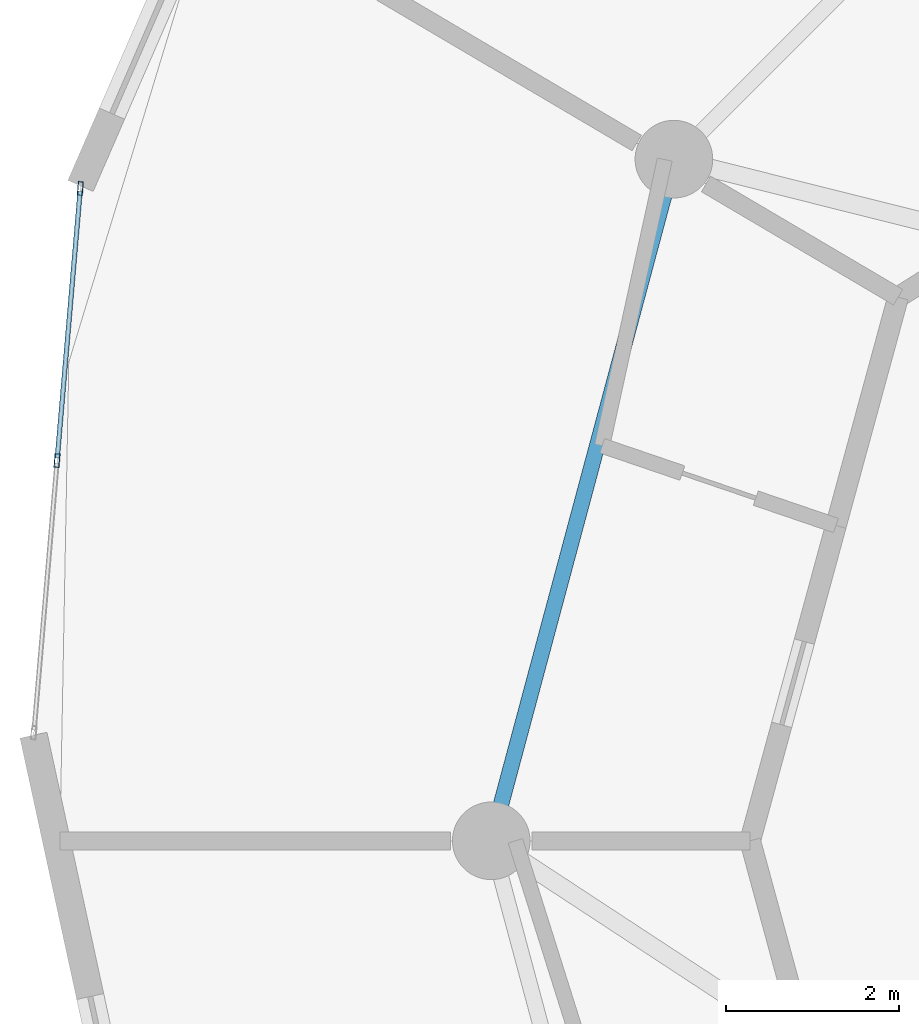
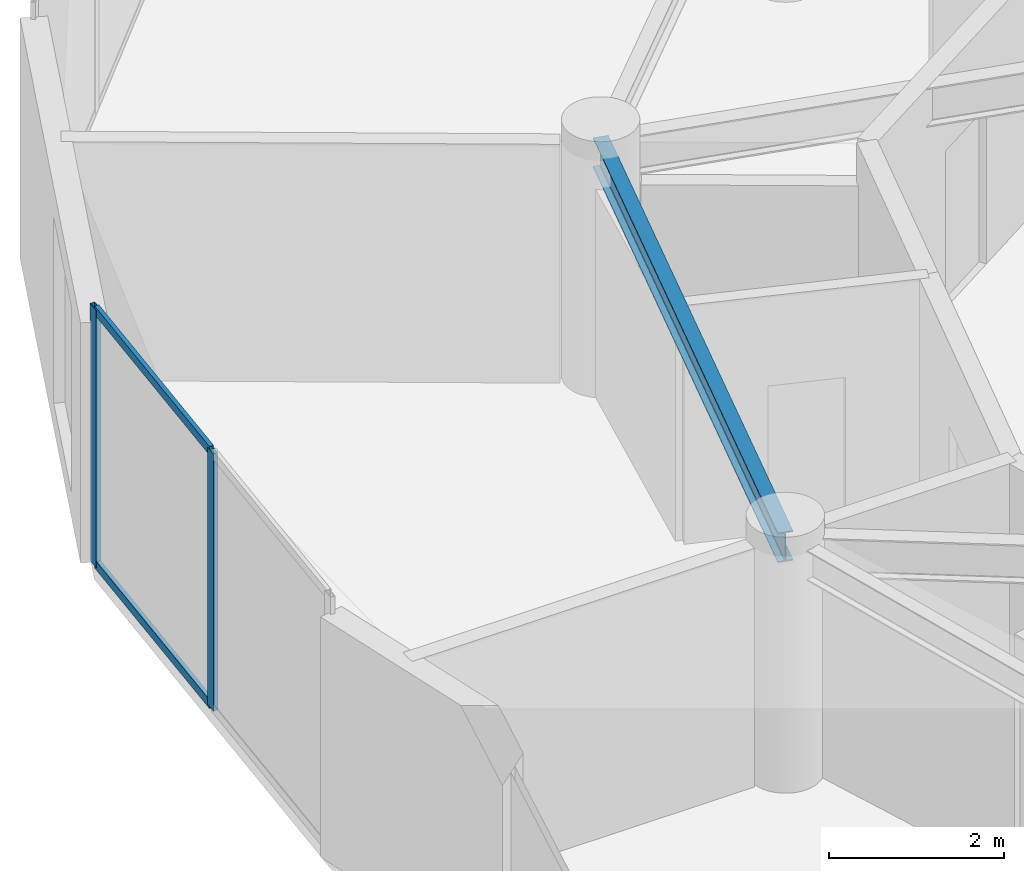
# One storey, part 9 of 23: 4 members, 1 beam, 1 element without a shape of its own.
"""IFC4 building model written with IfcOpenShell, lengths in metres."""

from ifc_helpers import new_model, si_unit, direction, frame, origin, origin_2d, place, context, subcontext, project, spatial, hollow_rectangle, i_section, extrude, source, transform, mapped, material, layer, layer_set, material_profile, profile_set, type_object, element, aggregate, save


model = new_model("IFC4")

# Units and contexts
model_context = context("Model", 3, precision=1e-05, world=origin(), true_north=direction((0.0, 1.0)))
body_context = subcontext(model_context, "Body", "Model", "MODEL_VIEW")
ifc_project = project(units=[si_unit("LENGTHUNIT", "METRE"), si_unit("AREAUNIT", "SQUARE_METRE"), si_unit("VOLUMEUNIT", "CUBIC_METRE"), si_unit("PLANEANGLEUNIT", "RADIAN"), si_unit("MASSUNIT", "GRAM", prefix="KILO")], contexts=[model_context])

# Site, building, storey
site_placement = place(None, origin())
site = spatial("IfcSite", under=ifc_project, at=site_placement, CompositionType="ELEMENT")
building_placement = place(site_placement, origin())
building = spatial("IfcBuilding", under=site, at=building_placement, Name="Solvirekh Grand Hotel", CompositionType="ELEMENT")
storey_placement = place(building_placement, frame((0.0, 0.0, 173.199951171875)))
storey = spatial("IfcBuildingStorey", under=building, at=storey_placement, Name="L44", CompositionType="ELEMENT", Elevation=173.199951171875)

# Beam
ifc_material_1 = material(Name="Steel S355", Category="steel")
ifc_material_profile_1 = material_profile(ifc_material_1, i_section(OverallWidth=0.180908203125, OverallDepth=0.4169921875, WebThickness=0.010009765625, FlangeThickness=0.01611328125, FilletRadius=0.011962890625, at=origin_2d()), Name="W410X85")
ifc_profile_set_1 = profile_set([ifc_material_profile_1], Name="Steel S355")
beam_type = type_object("IfcBeamType", Name="Spandrel_Ring_W410", PredefinedType="SPANDREL", material=ifc_profile_set_1)
beam_placement = place(storey_placement, frame((-13.68310546875, 7.89990234375, 3.152099609375), z_axis=(-0.258838541915, -0.965920601923, 0.0), x_axis=(0.965920601923, -0.258838541915, 0.0)))
element("IfcBeam", 1, at=beam_placement, inside=storey, type_object=beam_type, Name="L44 perimeter spandrel beam 6", PredefinedType="SPANDREL", context=body_context, shape_type="SweptSolid", body=[
    extrude(i_section(OverallWidth=0.180908203125, OverallDepth=0.4169921875, WebThickness=0.010009765625, FlangeThickness=0.01611328125, FilletRadius=0.011962890625, at=origin_2d()), origin(), (0.0, 0.0, 1.0), 8.1787109375),
])

# Curtain wall, members
ifc_material_2 = material(Name="Anodized Bronze Aluminium 6063-T6", Category="aluminium")
ifc_layer = layer(ifc_material_2, 0.159912109375)
ifc_layer_set = layer_set([ifc_layer], Name="Anodized Bronze Aluminium 6063-T6")
curtain_wall_type = type_object("IfcCurtainWallType", Name="CW_Sys4_HighZoneFlushBronzeCW", PredefinedType="NOTDEFINED", material=ifc_layer_set)
curtain_wall_placement = place(storey_placement, origin())
curtain_wall = element("IfcCurtainWall", 2, at=curtain_wall_placement, inside=storey, type_object=curtain_wall_type, Name="L44 unitised bronze-glass curtain wall CW-L44-C13", PredefinedType="NOTDEFINED")
ifc_material_profile_2 = material_profile(ifc_material_2, hollow_rectangle(XDim=0.06005859375, YDim=0.159912109375, WallThickness=0.0048828125, at=origin_2d()), Name="ALU RHS 160X60X5")
ifc_profile_set_2 = profile_set([ifc_material_profile_2], Name="Anodized Bronze Aluminium 6063-T6")
member_type_1 = type_object("IfcMemberType", Name="CWMullion_Sys4", PredefinedType="MULLION", material=ifc_profile_set_2)
shared_shape_1 = source(origin(), body_context, "Body", "SweptSolid", [
    extrude(hollow_rectangle(XDim=0.06005859375, YDim=0.159912109375, WallThickness=0.0048828125, at=origin_2d()), origin(), (0.0, 0.0, 1.0), 3.60009765625),
])
member_1_placement = place(storey_placement, frame((-20.5625, 7.56005859375, 0.0), z_axis=(0.0, 0.0, 1.0), x_axis=(0.996355395292, -0.085299040279, 0.0)))
member_1 = element("IfcMember", 3, at=member_1_placement, type_object=member_type_1, Name="U04 mullion 1", PredefinedType="MULLION", context=body_context, shape_type="MappedRepresentation", body=[
    mapped(shared_shape_1, transform((0.0, 0.0, 0.0), x_axis=(1.0, 0.0, 0.0), y_axis=(0.0, 1.0, 0.0), z_axis=(0.0, 0.0, 1.0), scale=1.0)),
])
member_2_placement = place(storey_placement, frame((-20.83251953125, 4.406982421875, 0.0), z_axis=(0.0, 0.0, 1.0), x_axis=(0.996355395292, -0.085299040279, 0.0)))
member_2 = element("IfcMember", 4, at=member_2_placement, type_object=member_type_1, Name="U04 mullion 2", PredefinedType="MULLION", context=body_context, shape_type="MappedRepresentation", body=[
    mapped(shared_shape_1, transform((0.0, 0.0, 0.0), x_axis=(1.0, 0.0, 0.0), y_axis=(0.0, 1.0, 0.0), z_axis=(0.0, 0.0, 1.0), scale=1.0)),
])
ifc_material_profile_3 = material_profile(ifc_material_2, hollow_rectangle(XDim=0.054931640625, YDim=0.1201171875, WallThickness=0.00390625, at=origin_2d()), Name="ALU RHS 120X55X4")
ifc_profile_set_3 = profile_set([ifc_material_profile_3], Name="Anodized Bronze Aluminium 6063-T6")
member_type_2 = type_object("IfcMemberType", Name="CWTransom_Sys4", PredefinedType="USERDEFINED", material=ifc_profile_set_3)
shared_shape_2 = source(origin(), body_context, "Body", "SweptSolid", [
    extrude(hollow_rectangle(XDim=0.054931640625, YDim=0.1201171875, WallThickness=0.00390625, at=origin_2d()), origin(), (0.0, 0.0, 1.0), 3.1044921875),
])
member_3_placement = place(storey_placement, frame((-20.565185546875, 7.5302734375, 0.027587890625), z_axis=(-0.085245008773, -0.996360019511, 0.0), x_axis=(0.996360019511, -0.085245008773, 0.0)))
member_3 = element("IfcMember", 5, at=member_3_placement, type_object=member_type_2, Name="U04 transom 1.1", ObjectType="TRANSOM", PredefinedType="USERDEFINED", context=body_context, shape_type="MappedRepresentation", body=[
    mapped(shared_shape_2, transform((0.0, 0.0, 0.0), x_axis=(1.0, 0.0, 0.0), y_axis=(0.0, 1.0, 0.0), z_axis=(0.0, 0.0, 1.0), scale=1.0)),
])
member_4_placement = place(storey_placement, frame((-20.565185546875, 7.5302734375, 3.572509765625), z_axis=(-0.085245008773, -0.996360019511, 0.0), x_axis=(0.996360019511, -0.085245008773, 0.0)))
member_4 = element("IfcMember", 6, at=member_4_placement, type_object=member_type_2, Name="U04 transom 1.2", ObjectType="TRANSOM", PredefinedType="USERDEFINED", context=body_context, shape_type="MappedRepresentation", body=[
    mapped(shared_shape_2, transform((0.0, 0.0, 0.0), x_axis=(1.0, 0.0, 0.0), y_axis=(0.0, 1.0, 0.0), z_axis=(0.0, 0.0, 1.0), scale=1.0)),
])
aggregate(curtain_wall, [member_1, member_2, member_3, member_4])

save(model, "model.ifc")
